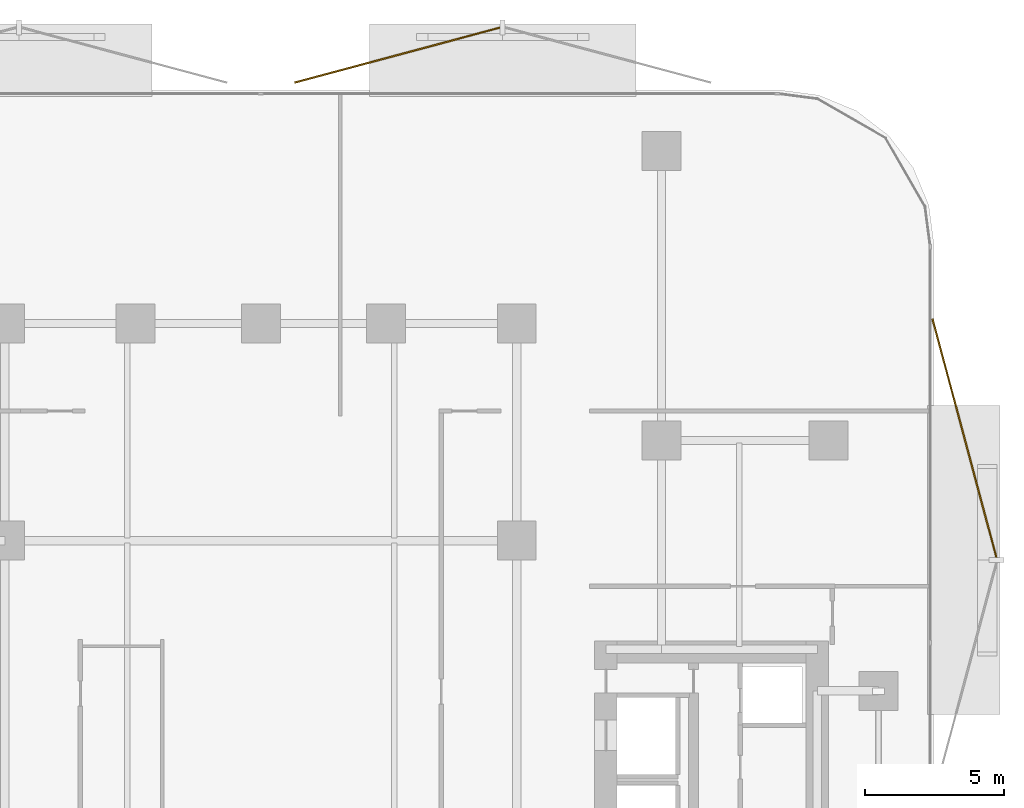
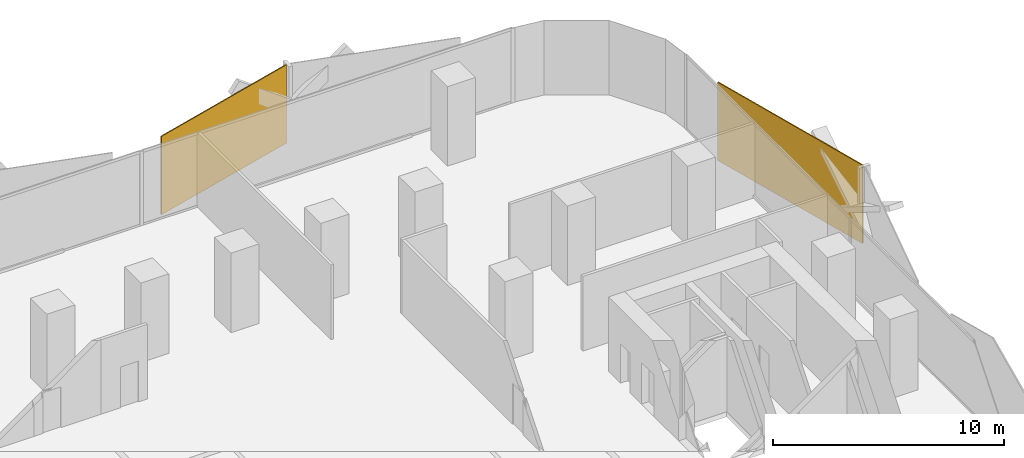
# One storey, part 15 of 15: 2 coverings.
"""IFC4 building model written with IfcOpenShell, lengths in metres."""

from ifc_helpers import new_model, si_unit, direction, frame, origin, origin_2d, place, context, subcontext, project, spatial, rectangle, extrude, material, layer, layer_set, type_object, element, save


model = new_model("IFC4")

# Units and contexts
model_context = context("Model", 3, precision=1e-05, world=origin(), true_north=direction((0.0, 1.0)))
body_context = subcontext(model_context, "Body", "Model", "MODEL_VIEW")
ifc_project = project(units=[si_unit("LENGTHUNIT", "METRE"), si_unit("AREAUNIT", "SQUARE_METRE"), si_unit("VOLUMEUNIT", "CUBIC_METRE"), si_unit("PLANEANGLEUNIT", "RADIAN"), si_unit("MASSUNIT", "GRAM", prefix="KILO")], contexts=[model_context])

# Site, building, storey
site_placement = place(None, origin())
site = spatial("IfcSite", under=ifc_project, at=site_placement, CompositionType="ELEMENT")
building_placement = place(site_placement, origin())
building = spatial("IfcBuilding", under=site, at=building_placement, Name="Khairoan Windgate Tower", CompositionType="ELEMENT")
storey_placement = place(building_placement, frame((0.0, 0.0, 30.199951171875)))
storey = spatial("IfcBuildingStorey", under=building, at=storey_placement, Name="L07", CompositionType="ELEMENT", Elevation=30.199951171875)

# Coverings
ifc_material = material(Name="Anodised Bronze Aluminium 6063-T6", Category="aluminium")
ifc_layer = layer(ifc_material, 0.054931640625, Name="Anodised Bronze Aluminium 6063-T6")
ifc_layer_set = layer_set([ifc_layer], Name="Anodised Bronze Aluminium 6063-T6")
covering_type = type_object("IfcCoveringType", Name="Perforated Bronze-Ceramic Folded Solar Screen Cladding BSC-1", PredefinedType="CLADDING", material=ifc_layer_set)
covering_1_placement = place(storey_placement, frame((4.909912109375, 28.249755859375, -0.10009765625), z_axis=(0.0, 0.0, 1.0), x_axis=(0.965925826289, 0.258819045103, 0.0)))
element("IfcCovering", 1, at=covering_1_placement, inside=storey, type_object=covering_type, Name="L07 Folded Bronze Solar Screen Facet 14L", PredefinedType="CLADDING", context=body_context, shape_type="SweptSolid", body=[
    extrude(rectangle(XDim=7.652099609375, YDim=0.054931640625, at=origin_2d()), origin(), (0.0, 0.0, 1.0), 4.139892578125),
])
covering_2_placement = place(storey_placement, frame((25.290283203125, 14.47607421875, -0.10009765625), z_axis=(0.0, 0.0, 1.0), x_axis=(0.258819045103, -0.965925826289, 0.0)))
element("IfcCovering", 2, at=covering_2_placement, inside=storey, type_object=covering_type, Name="L07 Folded Bronze Solar Screen Facet 15L", PredefinedType="CLADDING", context=body_context, shape_type="SweptSolid", body=[
    extrude(rectangle(XDim=8.884033203125, YDim=0.054931640625, at=origin_2d()), origin(), (0.0, 0.0, 1.0), 4.139892578125),
])

save(model, "model.ifc")
